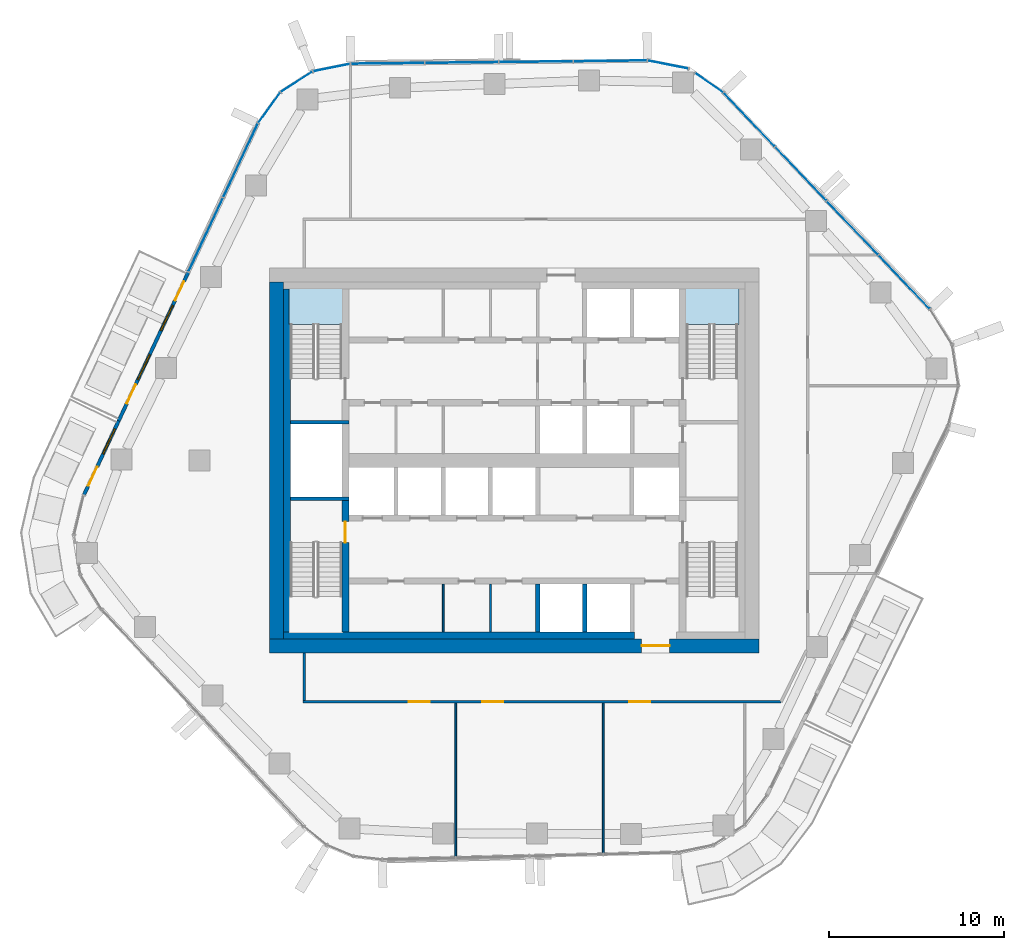
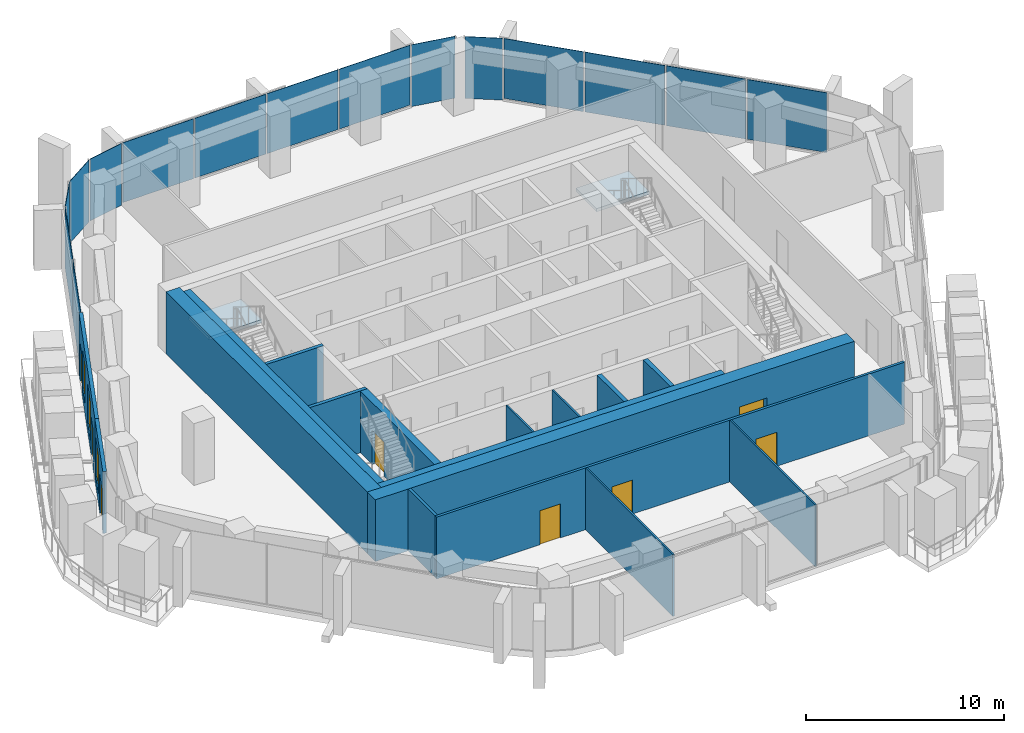
# One storey, part 10 of 17: 17 walls, 15 plates, 8 doors, 3 windows, 2 slabs, 11 openings, 8 elements without a shape of their own.
"""IFC4 building model written with IfcOpenShell, lengths in metres."""

from ifc_helpers import new_model, si_unit, direction, frame, frame_2d, origin, origin_2d, place, context, subcontext, project, spatial, polyline, rectangle, outline, extrude, material, layer, layer_set, type_object, element, fill, aggregate, save


model = new_model("IFC4")

# Units and contexts
model_context = context("Model", 3, precision=1e-05, world=origin(), true_north=direction((0.0, 1.0)))
body_context = subcontext(model_context, "Body", "Model", "MODEL_VIEW")
ifc_project = project(units=[si_unit("LENGTHUNIT", "METRE"), si_unit("AREAUNIT", "SQUARE_METRE"), si_unit("VOLUMEUNIT", "CUBIC_METRE"), si_unit("PLANEANGLEUNIT", "RADIAN"), si_unit("MASSUNIT", "GRAM", prefix="KILO")], contexts=[model_context])

# Site, building, storey
site_placement = place(None, origin())
site = spatial("IfcSite", under=ifc_project, at=site_placement, CompositionType="ELEMENT")
building_placement = place(site_placement, origin())
building = spatial("IfcBuilding", under=site, at=building_placement, Name="Dongbaek Canopy Tower", CompositionType="ELEMENT")
storey_placement = place(building_placement, frame((0.0, 0.0, 211.39990234375)))
storey = spatial("IfcBuildingStorey", under=building, at=storey_placement, Name="L44", CompositionType="ELEMENT", Elevation=211.39990234375)

# Curtain wall, plates
ifc_material_1 = material(Name="Aluminium 6063-T6 pale anodised", Category="aluminium")
ifc_layer_1 = layer(ifc_material_1, 0.199951171875)
ifc_layer_set_1 = layer_set([ifc_layer_1], Name="CW-1 unitised tower curtain wall")
curtain_wall_type = type_object("IfcCurtainWallType", Name="CW-1 unitised tower curtain wall", PredefinedType="NOTDEFINED", material=ifc_layer_set_1)
curtain_wall_1_placement = place(storey_placement, origin())
curtain_wall_1 = element("IfcCurtainWall", 1, at=curtain_wall_1_placement, inside=storey, type_object=curtain_wall_type, Name="CW-1 curtain wall F0.1", PredefinedType="NOTDEFINED")
ifc_material_2 = material(Name="Clear laminated glass", Category="glass")
ifc_layer_2 = layer(ifc_material_2, 0.028076171875)
ifc_layer_set_2 = layer_set([ifc_layer_2], Name="CW-1 glazed panel 28")
plate_type = type_object("IfcPlateType", Name="CW-1 glazed panel 28", PredefinedType="CURTAIN_PANEL", material=ifc_layer_set_2)
plate_1_placement = place(storey_placement, frame((22.321044921875, 10.2021484375, 0.1201171875), z_axis=(0.0, 0.0, 1.0), x_axis=(-0.690250319869, 0.723570657173, 0.0)))
plate_1 = element("IfcPlate", 2, at=plate_1_placement, type_object=plate_type, Name="CW-1 panel F0.1.1.1", PredefinedType="CURTAIN_PANEL", context=body_context, shape_type="SweptSolid", body=[
    extrude(rectangle(XDim=4.19140625, YDim=0.028076171875, at=origin_2d()), origin(), (0.0, 0.0, 1.0), 3.699951171875),
])
plate_2_placement = place(storey_placement, frame((19.36669921875, 13.299560546875, 0.1201171875), z_axis=(0.0, 0.0, 1.0), x_axis=(-0.690250319869, 0.723570657173, 0.0)))
plate_2 = element("IfcPlate", 3, at=plate_2_placement, type_object=plate_type, Name="CW-1 panel F0.1.2.1", PredefinedType="CURTAIN_PANEL", context=body_context, shape_type="SweptSolid", body=[
    extrude(rectangle(XDim=4.201416015625, YDim=0.028076171875, at=origin_2d()), origin(), (0.0, 0.0, 1.0), 3.699951171875),
])
plate_3_placement = place(storey_placement, frame((16.408447265625, 16.400390625, 0.1201171875), z_axis=(0.0, 0.0, 1.0), x_axis=(-0.690250319869, 0.723570657173, 0.0)))
plate_3 = element("IfcPlate", 4, at=plate_3_placement, type_object=plate_type, Name="CW-1 panel F0.1.3.1", PredefinedType="CURTAIN_PANEL", context=body_context, shape_type="SweptSolid", body=[
    extrude(rectangle(XDim=4.201416015625, YDim=0.028076171875, at=origin_2d()), origin(), (0.0, 0.0, 1.0), 3.699951171875),
])
plate_4_placement = place(storey_placement, frame((13.4541015625, 19.497314453125, 0.1201171875), z_axis=(0.0, 0.0, 1.0), x_axis=(-0.690250319869, 0.723570657173, 0.0)))
plate_4 = element("IfcPlate", 5, at=plate_4_placement, type_object=plate_type, Name="CW-1 panel F0.1.4.1", PredefinedType="CURTAIN_PANEL", context=body_context, shape_type="SweptSolid", body=[
    extrude(rectangle(XDim=4.191162109375, YDim=0.028076171875, at=origin_2d()), origin(), (0.0, 0.0, 1.0), 3.699951171875),
])
aggregate(curtain_wall_1, [plate_1, plate_2, plate_3, plate_4])

# Curtain wall, plate
curtain_wall_2_placement = place(storey_placement, origin())
curtain_wall_2 = element("IfcCurtainWall", 6, at=curtain_wall_2_placement, inside=storey, type_object=curtain_wall_type, Name="CW-1 curtain wall K1.1a", PredefinedType="NOTDEFINED")
plate_5_placement = place(storey_placement, frame((11.1591796875, 21.609375, 0.0), z_axis=(0.0, 0.0, 1.0), x_axis=(-0.8230989451, 0.567897989586, 0.0)))
plate_5 = element("IfcPlate", 7, at=plate_5_placement, type_object=plate_type, Name="CW-1 panel K1.1a.1.1", PredefinedType="CURTAIN_PANEL", context=body_context, shape_type="SweptSolid", body=[
    extrude(rectangle(XDim=1.906982421875, YDim=0.028076171875, at=origin_2d()), origin(), (0.0, 0.0, 1.0), 3.820068359375),
])
aggregate(curtain_wall_2, [plate_5])

curtain_wall_3_placement = place(storey_placement, origin())
curtain_wall_3 = element("IfcCurtainWall", 8, at=curtain_wall_3_placement, inside=storey, type_object=curtain_wall_type, Name="CW-1 curtain wall K1.1b", PredefinedType="NOTDEFINED")
plate_6_placement = place(storey_placement, frame((8.81005859375, 22.646240234375, 0.0), z_axis=(0.0, 0.0, 1.0), x_axis=(-0.981255072726, 0.192713471895, 0.0)))
plate_6 = element("IfcPlate", 9, at=plate_6_placement, type_object=plate_type, Name="CW-1 panel K1.1b.1.1", PredefinedType="CURTAIN_PANEL", context=body_context, shape_type="SweptSolid", body=[
    extrude(rectangle(XDim=2.327880859375, YDim=0.028076171875, at=origin_2d()), origin(), (0.0, 0.0, 1.0), 3.820068359375),
])
aggregate(curtain_wall_3, [plate_6])

# Curtain wall, plates
curtain_wall_4_placement = place(storey_placement, origin())
curtain_wall_4 = element("IfcCurtainWall", 10, at=curtain_wall_4_placement, inside=storey, type_object=curtain_wall_type, Name="CW-1 curtain wall F1.1", PredefinedType="NOTDEFINED")
plate_7_placement = place(storey_placement, frame((5.506591796875, 22.855224609375, 0.1201171875), z_axis=(0.0, 0.0, 1.0), x_axis=(-0.99993856367, -0.011084623841, 0.0)))
plate_7 = element("IfcPlate", 11, at=plate_7_placement, type_object=plate_type, Name="CW-1 panel F1.1.1.1", PredefinedType="CURTAIN_PANEL", context=body_context, shape_type="SweptSolid", body=[
    extrude(rectangle(XDim=4.15625, YDim=0.028076171875, at=origin_2d()), origin(), (0.0, 0.0, 1.0), 3.699951171875),
])
plate_8_placement = place(storey_placement, frame((1.261474609375, 22.80810546875, 0.1201171875), z_axis=(0.0, 0.0, 1.0), x_axis=(-0.99993856367, -0.011084623841, 0.0)))
plate_8 = element("IfcPlate", 12, at=plate_8_placement, type_object=plate_type, Name="CW-1 panel F1.1.2.1", PredefinedType="CURTAIN_PANEL", context=body_context, shape_type="SweptSolid", body=[
    extrude(rectangle(XDim=4.16650390625, YDim=0.028076171875, at=origin_2d()), origin(), (0.0, 0.0, 1.0), 3.699951171875),
])
plate_9_placement = place(storey_placement, frame((-2.98876953125, 22.760986328125, 0.1201171875), z_axis=(0.0, 0.0, 1.0), x_axis=(-0.99993856367, -0.011084623841, 0.0)))
plate_9 = element("IfcPlate", 13, at=plate_9_placement, type_object=plate_type, Name="CW-1 panel F1.1.3.1", PredefinedType="CURTAIN_PANEL", context=body_context, shape_type="SweptSolid", body=[
    extrude(rectangle(XDim=4.16650390625, YDim=0.028076171875, at=origin_2d()), origin(), (0.0, 0.0, 1.0), 3.699951171875),
])
plate_10_placement = place(storey_placement, frame((-7.234375, 22.7138671875, 0.1201171875), z_axis=(0.0, 0.0, 1.0), x_axis=(-0.99993856367, -0.011084623841, 0.0)))
plate_10 = element("IfcPlate", 14, at=plate_10_placement, type_object=plate_type, Name="CW-1 panel F1.1.4.1", PredefinedType="CURTAIN_PANEL", context=body_context, shape_type="SweptSolid", body=[
    extrude(rectangle(XDim=4.1572265625, YDim=0.028076171875, at=origin_2d()), origin(), (0.0, 0.0, 1.0), 3.699951171875),
])
aggregate(curtain_wall_4, [plate_7, plate_8, plate_9, plate_10])

curtain_wall_5_placement = place(storey_placement, origin())
curtain_wall_5 = element("IfcCurtainWall", 15, at=curtain_wall_5_placement, inside=storey, type_object=curtain_wall_type, Name="CW-1 curtain wall K2.1", PredefinedType="NOTDEFINED")
plate_11_placement = place(storey_placement, frame((-10.434326171875, 22.473876953125, 0.0), z_axis=(0.0, 0.0, 1.0), x_axis=(-0.98045647242, -0.19673613214, 0.0)))
plate_11 = element("IfcPlate", 16, at=plate_11_placement, type_object=plate_type, Name="CW-1 panel K2.1.1.1", PredefinedType="CURTAIN_PANEL", context=body_context, shape_type="SweptSolid", body=[
    extrude(rectangle(XDim=2.117919921875, YDim=0.028076171875, at=origin_2d()), origin(), (0.0, 0.0, 1.0), 3.820068359375),
])
plate_12_placement = place(storey_placement, frame((-12.435791015625, 21.663818359375, 0.0), z_axis=(0.0, 0.0, 1.0), x_axis=(-0.840866619059, -0.541242393898, 0.0)))
plate_12 = element("IfcPlate", 17, at=plate_12_placement, type_object=plate_type, Name="CW-1 panel K2.1.2.1", PredefinedType="CURTAIN_PANEL", context=body_context, shape_type="SweptSolid", body=[
    extrude(rectangle(XDim=2.1083984375, YDim=0.028076171875, at=origin_2d()), origin(), (0.0, 0.0, 1.0), 3.820068359375),
])
plate_13_placement = place(storey_placement, frame((-14.001708984375, 20.177734375, 0.0), z_axis=(0.0, 0.0, 1.0), x_axis=(-0.585094316133, -0.810965252788, 0.0)))
plate_13 = element("IfcPlate", 18, at=plate_13_placement, type_object=plate_type, Name="CW-1 panel K2.1.3.1", PredefinedType="CURTAIN_PANEL", context=body_context, shape_type="SweptSolid", body=[
    extrude(rectangle(XDim=2.117919921875, YDim=0.028076171875, at=origin_2d()), origin(), (0.0, 0.0, 1.0), 3.820068359375),
])
aggregate(curtain_wall_5, [plate_11, plate_12, plate_13])

curtain_wall_6_placement = place(storey_placement, origin())
curtain_wall_6 = element("IfcCurtainWall", 19, at=curtain_wall_6_placement, inside=storey, type_object=curtain_wall_type, Name="CW-1 curtain wall F2.1", PredefinedType="NOTDEFINED")
plate_14_placement = place(storey_placement, frame((-15.640869140625, 17.16064453125, 0.1201171875), z_axis=(0.0, 0.0, 1.0), x_axis=(-0.424177405815, -0.905579112169, 0.0)))
plate_14 = element("IfcPlate", 20, at=plate_14_placement, type_object=plate_type, Name="CW-1 panel F2.1.1.1", PredefinedType="CURTAIN_PANEL", context=body_context, shape_type="SweptSolid", body=[
    extrude(rectangle(XDim=4.60693359375, YDim=0.028076171875, at=origin_2d()), origin(), (0.0, 0.0, 1.0), 3.699951171875),
])
plate_15_placement = place(storey_placement, frame((-17.632568359375, 12.908447265625, 0.1201171875), z_axis=(0.0, 0.0, 1.0), x_axis=(-0.424177405815, -0.905579112169, 0.0)))
plate_15 = element("IfcPlate", 21, at=plate_15_placement, type_object=plate_type, Name="CW-1 panel F2.1.2.1", PredefinedType="CURTAIN_PANEL", context=body_context, shape_type="SweptSolid", body=[
    extrude(rectangle(XDim=4.616455078125, YDim=0.028076171875, at=origin_2d()), origin(), (0.0, 0.0, 1.0), 3.699951171875),
])
aggregate(curtain_wall_6, [plate_14, plate_15])

# Stair, slab
ifc_material_3 = material(Name="Concrete C40/50", Category="concrete")
stair_type = type_object("IfcStairType", Name="Core exit stair", PredefinedType="HALF_TURN_STAIR", material=ifc_material_3)
stair_1_placement = place(storey_placement, origin())
stair_1 = element("IfcStair", 22, at=stair_1_placement, inside=storey, type_object=stair_type, Name="L44 exit stair A", PredefinedType="HALF_TURN_STAIR")
ifc_material_4 = material(Name="Concrete C40/50", Category="concrete")
ifc_layer_3 = layer(ifc_material_4, 0.199951171875)
ifc_layer_set_3 = layer_set([ifc_layer_3], Name="Core stair landing 200")
slab_type = type_object("IfcSlabType", Name="Core stair landing 200", PredefinedType="LANDING", material=ifc_layer_set_3)
slab_1_placement = place(storey_placement, frame((0.0, 0.0, 1.900146484375)))
slab_1 = element("IfcSlab", 23, at=slab_1_placement, type_object=slab_type, Name="ST-A landing 1", PredefinedType="LANDING", context=body_context, shape_type="SweptSolid", body=[
    extrude(outline(polyline([(12.875, 7.780029296875), (12.875, 9.875), (9.77490234375, 9.875), (9.77490234375, 7.780029296875), (12.875, 7.780029296875)])), origin(), (0.0, 0.0, 1.0), 0.199951171875),
])
aggregate(stair_1, [slab_1])

stair_2_placement = place(storey_placement, origin())
stair_2 = element("IfcStair", 24, at=stair_2_placement, inside=storey, type_object=stair_type, Name="L44 exit stair C", PredefinedType="HALF_TURN_STAIR")
slab_2_placement = place(storey_placement, frame((0.0, 0.0, 1.900146484375)))
slab_2 = element("IfcSlab", 25, at=slab_2_placement, type_object=slab_type, Name="ST-C landing 1", PredefinedType="LANDING", context=body_context, shape_type="SweptSolid", body=[
    extrude(outline(polyline([(-9.77490234375, 7.780029296875), (-9.77490234375, 9.875), (-12.875, 9.875), (-12.875, 7.780029296875), (-9.77490234375, 7.780029296875)])), origin(), (0.0, 0.0, 1.0), 0.199951171875),
])
aggregate(stair_2, [slab_2])

# Wall, opening, door
ifc_material_5 = material(Name="Concrete C70/85", Category="concrete")
ifc_layer_4 = layer(ifc_material_5, 0.800048828125)
ifc_layer_set_4 = layer_set([ifc_layer_4], Name="Core outer wall 800 Concrete C70/85")
wall_type_1 = type_object("IfcWallType", Name="Core outer wall 800 Concrete C70/85", PredefinedType="SHEAR", material=ifc_layer_set_4)
wall_1_placement = place(storey_placement, frame((14.0, -10.60009765625, 0.0), z_axis=(0.0, 0.0, 1.0), x_axis=(-1.0, 0.0, 0.0)))
wall_1 = element("IfcWall", 26, at=wall_1_placement, inside=storey, type_object=wall_type_1, Name="Core wall", PredefinedType="SHEAR", context=body_context, shape_type="SweptSolid", body=[
    extrude(rectangle(XDim=28.0, YDim=0.800048828125, at=frame_2d((14.0, 0.0))), origin(), (0.0, 0.0, 1.0), 3.820068359375),
])
opening_1_placement = place(wall_1_placement, frame((5.10009765625, 0.0, 0.0)))
opening_1 = element("IfcOpeningElement", 27, at=opening_1_placement, cuts=wall_1, Name="Opening L44-D021", PredefinedType="OPENING", context=body_context, shape_type="SweptSolid", body=[
    extrude(rectangle(XDim=1.60009765625, YDim=2.10009765625, at=frame_2d((0.800048828125, 1.050048828125))), frame((0.0, 0.409912109375, 0.0), z_axis=(0.0, -1.0, 0.0), x_axis=(1.0, 0.0, 0.0)), (0.0, 0.0, 1.0), 0.820068359375),
])
ifc_material_6 = material(Name="Steel", Category="steel")
door_type_1 = type_object("IfcDoorType", Name="Core exit door 1600 x 2100", OperationType="DOUBLE_DOOR_SINGLE_SWING", PredefinedType="DOOR", material=ifc_material_6)
door_1_placement = place(opening_1_placement, origin())
door_1 = element("IfcDoor", 28, at=door_1_placement, inside=storey, type_object=door_type_1, Name="Core exit door", OperationType="DOUBLE_DOOR_SINGLE_SWING", OverallHeight=2.10009765625, OverallWidth=1.60009765625, PredefinedType="DOOR", context=body_context, shape_type="SweptSolid", body=[
    extrude(rectangle(XDim=1.60009765625, YDim=2.10009765625, at=frame_2d((0.800048828125, 1.050048828125))), frame((0.0, 0.02490234375, 0.0), z_axis=(0.0, -1.0, 0.0), x_axis=(1.0, 0.0, 0.0)), (0.0, 0.0, 1.0), 0.050048828125),
])
fill(opening_1, door_1)

# Walls
wall_2_placement = place(storey_placement, frame((-13.60009765625, -10.199951171875, 0.0), z_axis=(0.0, 0.0, 1.0), x_axis=(0.0, 1.0, 0.0)))
element("IfcWall", 29, at=wall_2_placement, inside=storey, type_object=wall_type_1, Name="Core wall", PredefinedType="SHEAR", context=body_context, shape_type="SweptSolid", body=[
    extrude(rectangle(XDim=20.39990234375, YDim=0.800048828125, at=frame_2d((10.199951171875, 0.0))), origin(), (0.0, 0.0, 1.0), 3.820068359375),
])
ifc_material_7 = material(Name="Concrete C60/75", Category="concrete")
ifc_layer_5 = layer(ifc_material_7, 0.39990234375)
ifc_layer_set_5 = layer_set([ifc_layer_5], Name="Core wall lining 400 Concrete C60/75")
wall_type_2 = type_object("IfcWallType", Name="Core wall lining 400 Concrete C60/75", PredefinedType="SHEAR", material=ifc_layer_set_5)
wall_3_placement = place(storey_placement, frame((6.89990234375, -10.0, 0.0), z_axis=(0.0, 0.0, 1.0), x_axis=(-1.0, 0.0, 0.0)))
element("IfcWall", 30, at=wall_3_placement, inside=storey, type_object=wall_type_2, Name="Core wall lining", PredefinedType="SHEAR", context=body_context, shape_type="SweptSolid", body=[
    extrude(rectangle(XDim=20.099853515625, YDim=0.39990234375, at=frame_2d((10.0498046875, 0.0))), origin(), (0.0, 0.0, 1.0), 3.820068359375),
])
wall_4_placement = place(storey_placement, frame((-13.0, -9.800048828125, 0.0), z_axis=(0.0, 0.0, 1.0), x_axis=(0.0, 1.0, 0.0)))
element("IfcWall", 31, at=wall_4_placement, inside=storey, type_object=wall_type_2, Name="Core wall lining", PredefinedType="SHEAR", context=body_context, shape_type="SweptSolid", body=[
    extrude(rectangle(XDim=19.60009765625, YDim=0.39990234375, at=frame_2d((9.800048828125, 0.0))), origin(), (0.0, 0.0, 1.0), 3.820068359375),
])

# Wall, openings, doors
ifc_material_8 = material(Name="Gypsum board partition, steel stud, 2 x 15 mm fire board", Category="steel")
ifc_layer_6 = layer(ifc_material_8, 0.14990234375)
ifc_layer_set_6 = layer_set([ifc_layer_6], Name="Fire-rated partition 150 gypsum board")
wall_type_3 = type_object("IfcWallType", Name="Fire-rated partition 150 gypsum board", PredefinedType="PARTITIONING", material=ifc_layer_set_6)
wall_5_placement = place(storey_placement, frame((15.283447265625, -13.800048828125, 0.0), z_axis=(0.0, 0.0, 1.0), x_axis=(-1.0, 0.0, 0.0)))
wall_5 = element("IfcWall", 32, at=wall_5_placement, inside=storey, type_object=wall_type_3, Name="Corridor partition", PredefinedType="PARTITIONING", context=body_context, shape_type="SweptSolid", body=[
    extrude(rectangle(XDim=27.3583984375, YDim=0.14990234375, at=frame_2d((13.67919921875, 0.0))), origin(), (0.0, 0.0, 1.0), 3.820068359375),
])
opening_2_placement = place(wall_5_placement, frame((20.116943359375, 0.0, 0.0)))
opening_2 = element("IfcOpeningElement", 33, at=opening_2_placement, cuts=wall_5, Name="Opening L44-D001", PredefinedType="OPENING", context=body_context, shape_type="SweptSolid", body=[
    extrude(rectangle(XDim=1.199951171875, YDim=2.10009765625, at=frame_2d((0.60009765625, 1.050048828125))), frame((0.0, 0.0849609375, 0.0), z_axis=(0.0, -1.0, 0.0), x_axis=(1.0, 0.0, 0.0)), (0.0, 0.0, 1.0), 0.169921875),
])
opening_3_placement = place(wall_5_placement, frame((15.9052734375, 0.0, 0.0)))
opening_3 = element("IfcOpeningElement", 34, at=opening_3_placement, cuts=wall_5, Name="Opening L44-D002", PredefinedType="OPENING", context=body_context, shape_type="SweptSolid", body=[
    extrude(rectangle(XDim=1.199951171875, YDim=2.10009765625, at=frame_2d((0.60009765625, 1.050048828125))), frame((0.0, 0.0849609375, 0.0), z_axis=(0.0, -1.0, 0.0), x_axis=(1.0, 0.0, 0.0)), (0.0, 0.0, 1.0), 0.169921875),
])
opening_4_placement = place(wall_5_placement, frame((7.479736328125, 0.0, 0.0)))
opening_4 = element("IfcOpeningElement", 35, at=opening_4_placement, cuts=wall_5, Name="Opening L44-D003", PredefinedType="OPENING", context=body_context, shape_type="SweptSolid", body=[
    extrude(rectangle(XDim=1.199951171875, YDim=2.10009765625, at=frame_2d((0.60009765625, 1.050048828125))), frame((0.0, 0.0849609375, 0.0), z_axis=(0.0, -1.0, 0.0), x_axis=(1.0, 0.0, 0.0)), (0.0, 0.0, 1.0), 0.169921875),
])
ifc_material_9 = material(Name="Timber veneered door leaf", Category="wood")
door_type_2 = type_object("IfcDoorType", Name="Room door 1200 x 2100", OperationType="SINGLE_SWING_LEFT", PredefinedType="DOOR", material=ifc_material_9)
door_2_placement = place(opening_2_placement, origin())
door_2 = element("IfcDoor", 36, at=door_2_placement, inside=storey, type_object=door_type_2, Name="Door L44-D001", OperationType="SINGLE_SWING_RIGHT", OverallHeight=2.10009765625, OverallWidth=1.199951171875, PredefinedType="DOOR", context=body_context, shape_type="SweptSolid", body=[
    extrude(rectangle(XDim=1.199951171875, YDim=2.10009765625, at=frame_2d((0.60009765625, 1.050048828125))), frame((0.0, 0.02490234375, 0.0), z_axis=(0.0, -1.0, 0.0), x_axis=(1.0, 0.0, 0.0)), (0.0, 0.0, 1.0), 0.050048828125),
])
fill(opening_2, door_2)
door_3_placement = place(opening_3_placement, origin())
door_3 = element("IfcDoor", 37, at=door_3_placement, inside=storey, type_object=door_type_2, Name="Door L44-D002", OperationType="SINGLE_SWING_LEFT", OverallHeight=2.10009765625, OverallWidth=1.199951171875, PredefinedType="DOOR", context=body_context, shape_type="SweptSolid", body=[
    extrude(rectangle(XDim=1.199951171875, YDim=2.10009765625, at=frame_2d((0.60009765625, 1.050048828125))), frame((0.0, 0.02490234375, 0.0), z_axis=(0.0, -1.0, 0.0), x_axis=(1.0, 0.0, 0.0)), (0.0, 0.0, 1.0), 0.050048828125),
])
fill(opening_3, door_3)
door_4_placement = place(opening_4_placement, origin())
door_4 = element("IfcDoor", 38, at=door_4_placement, inside=storey, type_object=door_type_2, Name="Door L44-D003", OperationType="SINGLE_SWING_RIGHT", OverallHeight=2.10009765625, OverallWidth=1.199951171875, PredefinedType="DOOR", context=body_context, shape_type="SweptSolid", body=[
    extrude(rectangle(XDim=1.199951171875, YDim=2.10009765625, at=frame_2d((0.60009765625, 1.050048828125))), frame((0.0, 0.02490234375, 0.0), z_axis=(0.0, -1.0, 0.0), x_axis=(1.0, 0.0, 0.0)), (0.0, 0.0, 1.0), 0.050048828125),
])
fill(opening_4, door_4)

# Walls
wall_6_placement = place(storey_placement, frame((-12.0, -13.72509765625, 0.0), z_axis=(0.0, 0.0, 1.0), x_axis=(0.0, 1.0, 0.0)))
element("IfcWall", 39, at=wall_6_placement, inside=storey, type_object=wall_type_3, Name="Corridor partition", PredefinedType="PARTITIONING", context=body_context, shape_type="SweptSolid", body=[
    extrude(rectangle(XDim=2.72509765625, YDim=0.14990234375, at=frame_2d((1.362548828125, 0.0))), origin(), (0.0, 0.0, 1.0), 3.820068359375),
])
ifc_material_10 = material(Name="Concrete C40/50", Category="concrete")
ifc_layer_7 = layer(ifc_material_10, 0.25)
ifc_layer_set_7 = layer_set([ifc_layer_7], Name="Lift shaft wall 250 Concrete C40/50")
wall_type_4 = type_object("IfcWallType", Name="Lift shaft wall 250 Concrete C40/50", PredefinedType="SOLIDWALL", material=ifc_layer_set_7)
for number, where, z_axis, x_axis, name in (
    (40, (4.050048828125, -9.800048828125, 0.0), (0.0, 0.0, 1.0), (0.0, 1.0, 0.0), "Lift shaft wall"),
    (41, (1.35009765625, -9.800048828125, 0.0), (0.0, 0.0, 1.0), (0.0, 1.0, 0.0), "Lift shaft wall"),
):
    element("IfcWall", number, at=place(storey_placement, frame(where, z_axis=z_axis, x_axis=x_axis)), inside=storey, type_object=wall_type_4, Name=name, PredefinedType="SOLIDWALL", context=body_context, shape_type="SweptSolid", body=[
        extrude(rectangle(XDim=2.72509765625, YDim=0.25, at=frame_2d((1.362548828125, 0.0))), origin(), (0.0, 0.0, 1.0), 3.820068359375),
    ])
ifc_material_11 = material(Name="Gypsum board partition, steel stud, 2 x 12.5 mm board", Category="steel")
ifc_layer_8 = layer(ifc_material_11, 0.10009765625)
ifc_layer_set_8 = layer_set([ifc_layer_8], Name="Partition 100 gypsum board")
wall_type_5 = type_object("IfcWallType", Name="Partition 100 gypsum board", PredefinedType="PARTITIONING", material=ifc_layer_set_8)
wall_7_placement = place(storey_placement, frame((5.10107421875, -22.510498046875, 0.0), z_axis=(0.0, 0.0, 1.0), x_axis=(0.0, 1.0, 0.0)))
element("IfcWall", 42, at=wall_7_placement, inside=storey, type_object=wall_type_5, Name="Partition", PredefinedType="PARTITIONING", context=body_context, shape_type="SweptSolid", body=[
    extrude(rectangle(XDim=8.635498046875, YDim=0.10009765625, at=frame_2d((4.31787109375, 0.0))), origin(), (0.0, 0.0, 1.0), 3.820068359375),
])
wall_8_placement = place(storey_placement, frame((-3.3291015625, -22.71142578125, 0.0), z_axis=(0.0, 0.0, 1.0), x_axis=(0.0, 1.0, 0.0)))
element("IfcWall", 43, at=wall_8_placement, inside=storey, type_object=wall_type_5, Name="Partition", PredefinedType="PARTITIONING", context=body_context, shape_type="SweptSolid", body=[
    extrude(rectangle(XDim=8.83642578125, YDim=0.10009765625, at=frame_2d((4.418212890625, 0.0))), origin(), (0.0, 0.0, 1.0), 3.820068359375),
])
for number, where, z_axis, x_axis, name in (
    (44, (-1.35009765625, -9.800048828125, 0.0), (0.0, 0.0, 1.0), (0.0, 1.0, 0.0), "Core partition"),
    (45, (-4.050048828125, -9.800048828125, 0.0), (0.0, 0.0, 1.0), (0.0, 1.0, 0.0), "Core partition"),
):
    element("IfcWall", number, at=place(storey_placement, frame(where, z_axis=z_axis, x_axis=x_axis)), inside=storey, type_object=wall_type_5, Name=name, PredefinedType="PARTITIONING", context=body_context, shape_type="SweptSolid", body=[
        extrude(rectangle(XDim=2.72509765625, YDim=0.10009765625, at=frame_2d((1.362548828125, 0.0))), origin(), (0.0, 0.0, 1.0), 3.820068359375),
    ])
ifc_material_12 = material(Name="Concrete C60/75", Category="concrete")
ifc_layer_9 = layer(ifc_material_12, 0.199951171875)
ifc_layer_set_9 = layer_set([ifc_layer_9], Name="Riser wall 200 Concrete C60/75")
wall_type_6 = type_object("IfcWallType", Name="Riser wall 200 Concrete C60/75", PredefinedType="SHEAR", material=ifc_layer_set_9)
for number, where, z_axis, x_axis, name in (
    (46, (-9.449951171875, 2.199951171875, 0.0), (0.0, 0.0, 1.0), (-1.0, 0.0, 0.0), "Riser wall"),
    (47, (-9.449951171875, -2.199951171875, 0.0), (0.0, 0.0, 1.0), (-1.0, 0.0, 0.0), "Riser wall"),
):
    element("IfcWall", number, at=place(storey_placement, frame(where, z_axis=z_axis, x_axis=x_axis)), inside=storey, type_object=wall_type_6, Name=name, PredefinedType="SHEAR", context=body_context, shape_type="SweptSolid", body=[
        extrude(rectangle(XDim=3.35009765625, YDim=0.199951171875, at=frame_2d((1.675048828125, 0.0))), origin(), (0.0, 0.0, 1.0), 3.820068359375),
    ])

# Wall, opening, door
ifc_material_13 = material(Name="Concrete C60/75", Category="concrete")
ifc_layer_10 = layer(ifc_material_13, 0.39990234375)
ifc_layer_set_10 = layer_set([ifc_layer_10], Name="Stair wall 400 Concrete C60/75")
wall_type_7 = type_object("IfcWallType", Name="Stair wall 400 Concrete C60/75", PredefinedType="SHEAR", material=ifc_layer_set_10)
wall_9_placement = place(storey_placement, frame((-9.64990234375, -9.800048828125, 0.0), z_axis=(0.0, 0.0, 1.0), x_axis=(0.0, 1.0, 0.0)))
wall_9 = element("IfcWall", 48, at=wall_9_placement, inside=storey, type_object=wall_type_7, Name="Stair wall", PredefinedType="SHEAR", context=body_context, shape_type="SweptSolid", body=[
    extrude(rectangle(XDim=7.5, YDim=0.39990234375, at=frame_2d((3.75, 0.0))), origin(), (0.0, 0.0, 1.0), 3.820068359375),
])
opening_5_placement = place(wall_9_placement, frame((5.10009765625, 0.0, 0.0)))
opening_5 = element("IfcOpeningElement", 49, at=opening_5_placement, cuts=wall_9, Name="Opening L44-D036", PredefinedType="OPENING", context=body_context, shape_type="SweptSolid", body=[
    extrude(rectangle(XDim=1.199951171875, YDim=2.10009765625, at=frame_2d((0.60009765625, 1.050048828125))), frame((0.0, 0.2099609375, 0.0), z_axis=(0.0, -1.0, 0.0), x_axis=(1.0, 0.0, 0.0)), (0.0, 0.0, 1.0), 0.419921875),
])
ifc_material_14 = material(Name="Steel", Category="steel")
door_type_3 = type_object("IfcDoorType", Name="Stair door 1200 x 2100", OperationType="SINGLE_SWING_LEFT", PredefinedType="DOOR", material=ifc_material_14)
door_5_placement = place(opening_5_placement, origin())
door_5 = element("IfcDoor", 50, at=door_5_placement, inside=storey, type_object=door_type_3, Name="Stair D door", OperationType="SINGLE_SWING_LEFT", OverallHeight=2.10009765625, OverallWidth=1.199951171875, PredefinedType="DOOR", context=body_context, shape_type="SweptSolid", body=[
    extrude(rectangle(XDim=1.199951171875, YDim=2.10009765625, at=frame_2d((0.60009765625, 1.050048828125))), frame((0.0, 0.02490234375, 0.0), z_axis=(0.0, -1.0, 0.0), x_axis=(1.0, 0.0, 0.0)), (0.0, 0.0, 1.0), 0.050048828125),
])
fill(opening_5, door_5)

# Wall, openings, doors, windows
ifc_material_15 = material(Name="Aluminium window wall", Category="aluminium")
ifc_layer_11 = layer(ifc_material_15, 0.199951171875)
ifc_layer_set_11 = layer_set([ifc_layer_11], Name="Window wall 200")
wall_type_8 = type_object("IfcWallType", Name="Window wall 200", PredefinedType="SOLIDWALL", material=ifc_layer_set_11)
wall_10_placement = place(storey_placement, frame((-18.62939453125, 10.780029296875, 0.0), z_axis=(0.0, 0.0, 1.0), x_axis=(-0.424192999897, -0.905571807665, 0.0)))
wall_10 = element("IfcWall", 51, at=wall_10_placement, inside=storey, type_object=wall_type_8, Name="Window wall L44 1", PredefinedType="SOLIDWALL", context=body_context, shape_type="SweptSolid", body=[
    extrude(rectangle(XDim=9.40087890625, YDim=0.199951171875, at=frame_2d((4.700439453125, 0.0))), origin(), (0.0, 0.0, 1.0), 3.820068359375),
])
opening_6_placement = place(wall_10_placement, frame((2.10009765625, 0.0, 0.60009765625)))
opening_6 = element("IfcOpeningElement", 52, at=opening_6_placement, cuts=wall_10, Name="Opening W1", PredefinedType="OPENING", context=body_context, shape_type="SweptSolid", body=[
    extrude(rectangle(XDim=1.60009765625, YDim=2.39990234375, at=frame_2d((0.800048828125, 1.199951171875))), frame((0.0, 0.10986328125, 0.0), z_axis=(0.0, -1.0, 0.0), x_axis=(1.0, 0.0, 0.0)), (0.0, 0.0, 1.0), 0.219970703125),
])
opening_7_placement = place(wall_10_placement, frame((0.60009765625, 0.0, 0.0)))
opening_7 = element("IfcOpeningElement", 53, at=opening_7_placement, cuts=wall_10, Name="Opening L44-B01", PredefinedType="OPENING", context=body_context, shape_type="SweptSolid", body=[
    extrude(rectangle(XDim=1.199951171875, YDim=2.39990234375, at=frame_2d((0.60009765625, 1.199951171875))), frame((0.0, 0.10986328125, 0.0), z_axis=(0.0, -1.0, 0.0), x_axis=(1.0, 0.0, 0.0)), (0.0, 0.0, 1.0), 0.219970703125),
])
opening_8_placement = place(wall_10_placement, frame((5.200439453125, 0.0, 0.60009765625)))
opening_8 = element("IfcOpeningElement", 54, at=opening_8_placement, cuts=wall_10, Name="Opening W1", PredefinedType="OPENING", context=body_context, shape_type="SweptSolid", body=[
    extrude(rectangle(XDim=1.60009765625, YDim=2.39990234375, at=frame_2d((0.800048828125, 1.199951171875))), frame((0.0, 0.10986328125, 0.0), z_axis=(0.0, -1.0, 0.0), x_axis=(1.0, 0.0, 0.0)), (0.0, 0.0, 1.0), 0.219970703125),
])
opening_9_placement = place(wall_10_placement, frame((7.100341796875, 0.0, 0.0)))
opening_9 = element("IfcOpeningElement", 55, at=opening_9_placement, cuts=wall_10, Name="Opening L44-B02", PredefinedType="OPENING", context=body_context, shape_type="SweptSolid", body=[
    extrude(rectangle(XDim=1.199951171875, YDim=2.39990234375, at=frame_2d((0.60009765625, 1.199951171875))), frame((0.0, 0.10986328125, 0.0), z_axis=(0.0, -1.0, 0.0), x_axis=(1.0, 0.0, 0.0)), (0.0, 0.0, 1.0), 0.219970703125),
])
ifc_material_16 = material(Name="Clear glazing in aluminium frame", Category="aluminium")
door_type_4 = type_object("IfcDoorType", Name="Balcony door BD1 1200 x 2400", OperationType="SLIDING_TO_LEFT", PredefinedType="DOOR", material=ifc_material_16)
door_6_placement = place(opening_7_placement, origin())
door_6 = element("IfcDoor", 56, at=door_6_placement, inside=storey, type_object=door_type_4, Name="Balcony door L44-B01", OperationType="SLIDING_TO_LEFT", OverallHeight=2.39990234375, OverallWidth=1.199951171875, PredefinedType="DOOR", context=body_context, shape_type="SweptSolid", body=[
    extrude(rectangle(XDim=1.199951171875, YDim=2.39990234375, at=frame_2d((0.60009765625, 1.199951171875))), frame((0.0, 0.02490234375, 0.0), z_axis=(0.0, -1.0, 0.0), x_axis=(1.0, 0.0, 0.0)), (0.0, 0.0, 1.0), 0.050048828125),
])
fill(opening_7, door_6)
door_7_placement = place(opening_9_placement, origin())
door_7 = element("IfcDoor", 57, at=door_7_placement, inside=storey, type_object=door_type_4, Name="Balcony door L44-B02", OperationType="SLIDING_TO_LEFT", OverallHeight=2.39990234375, OverallWidth=1.199951171875, PredefinedType="DOOR", context=body_context, shape_type="SweptSolid", body=[
    extrude(rectangle(XDim=1.199951171875, YDim=2.39990234375, at=frame_2d((0.60009765625, 1.199951171875))), frame((0.0, 0.02490234375, 0.0), z_axis=(0.0, -1.0, 0.0), x_axis=(1.0, 0.0, 0.0)), (0.0, 0.0, 1.0), 0.050048828125),
])
fill(opening_9, door_7)
ifc_material_17 = material(Name="Clear glazing in aluminium frame", Category="aluminium")
window_type = type_object("IfcWindowType", Name="Window W1 1600 x 2400", PartitioningType="SINGLE_PANEL", PredefinedType="WINDOW", material=ifc_material_17)
window_1_placement = place(opening_6_placement, origin())
window_1 = element("IfcWindow", 58, at=window_1_placement, inside=storey, type_object=window_type, Name="Window L44 1.1", OverallHeight=2.39990234375, OverallWidth=1.60009765625, PartitioningType="SINGLE_PANEL", PredefinedType="WINDOW", context=body_context, shape_type="SweptSolid", body=[
    extrude(rectangle(XDim=1.60009765625, YDim=2.39990234375, at=frame_2d((0.800048828125, 1.199951171875))), frame((0.0, 0.030029296875, 0.0), z_axis=(0.0, -1.0, 0.0), x_axis=(1.0, 0.0, 0.0)), (0.0, 0.0, 1.0), 0.06005859375),
])
fill(opening_6, window_1)
window_2_placement = place(opening_8_placement, origin())
window_2 = element("IfcWindow", 59, at=window_2_placement, inside=storey, type_object=window_type, Name="Window L44 1.2", OverallHeight=2.39990234375, OverallWidth=1.60009765625, PartitioningType="SINGLE_PANEL", PredefinedType="WINDOW", context=body_context, shape_type="SweptSolid", body=[
    extrude(rectangle(XDim=1.60009765625, YDim=2.39990234375, at=frame_2d((0.800048828125, 1.199951171875))), frame((0.0, 0.030029296875, 0.0), z_axis=(0.0, -1.0, 0.0), x_axis=(1.0, 0.0, 0.0)), (0.0, 0.0, 1.0), 0.06005859375),
])
fill(opening_8, window_2)

# Wall, openings, door, window
wall_11_placement = place(storey_placement, frame((-22.6171875, 2.266845703125, 0.0), z_axis=(0.0, 0.0, 1.0), x_axis=(-0.424164475254, -0.90558516879, 0.0)))
wall_11 = element("IfcWall", 60, at=wall_11_placement, inside=storey, type_object=wall_type_8, Name="Window wall L44 3", PredefinedType="SOLIDWALL", context=body_context, shape_type="SweptSolid", body=[
    extrude(rectangle(XDim=4.6904296875, YDim=0.199951171875, at=frame_2d((2.34521484375, 0.0))), origin(), (0.0, 0.0, 1.0), 3.820068359375),
])
opening_10_placement = place(wall_11_placement, frame((0.5, 0.0, 0.60009765625)))
opening_10 = element("IfcOpeningElement", 61, at=opening_10_placement, cuts=wall_11, Name="Opening W1", PredefinedType="OPENING", context=body_context, shape_type="SweptSolid", body=[
    extrude(rectangle(XDim=1.60009765625, YDim=2.39990234375, at=frame_2d((0.800048828125, 1.199951171875))), frame((0.0, 0.10986328125, 0.0), z_axis=(0.0, -1.0, 0.0), x_axis=(1.0, 0.0, 0.0)), (0.0, 0.0, 1.0), 0.219970703125),
])
opening_11_placement = place(wall_11_placement, frame((2.89990234375, 0.0, 0.0)))
opening_11 = element("IfcOpeningElement", 62, at=opening_11_placement, cuts=wall_11, Name="Opening L44-B03", PredefinedType="OPENING", context=body_context, shape_type="SweptSolid", body=[
    extrude(rectangle(XDim=1.199951171875, YDim=2.39990234375, at=frame_2d((0.60009765625, 1.199951171875))), frame((0.0, 0.10986328125, 0.0), z_axis=(0.0, -1.0, 0.0), x_axis=(1.0, 0.0, 0.0)), (0.0, 0.0, 1.0), 0.219970703125),
])
door_8_placement = place(opening_11_placement, origin())
door_8 = element("IfcDoor", 63, at=door_8_placement, inside=storey, type_object=door_type_4, Name="Balcony door L44-B03", OperationType="SLIDING_TO_LEFT", OverallHeight=2.39990234375, OverallWidth=1.199951171875, PredefinedType="DOOR", context=body_context, shape_type="SweptSolid", body=[
    extrude(rectangle(XDim=1.199951171875, YDim=2.39990234375, at=frame_2d((0.60009765625, 1.199951171875))), frame((0.0, 0.02490234375, 0.0), z_axis=(0.0, -1.0, 0.0), x_axis=(1.0, 0.0, 0.0)), (0.0, 0.0, 1.0), 0.050048828125),
])
fill(opening_11, door_8)
window_3_placement = place(opening_10_placement, origin())
window_3 = element("IfcWindow", 64, at=window_3_placement, inside=storey, type_object=window_type, Name="Window L44 3.1", OverallHeight=2.39990234375, OverallWidth=1.60009765625, PartitioningType="SINGLE_PANEL", PredefinedType="WINDOW", context=body_context, shape_type="SweptSolid", body=[
    extrude(rectangle(XDim=1.60009765625, YDim=2.39990234375, at=frame_2d((0.800048828125, 1.199951171875))), frame((0.0, 0.030029296875, 0.0), z_axis=(0.0, -1.0, 0.0), x_axis=(1.0, 0.0, 0.0)), (0.0, 0.0, 1.0), 0.06005859375),
])
fill(opening_10, window_3)

save(model, "model.ifc")
